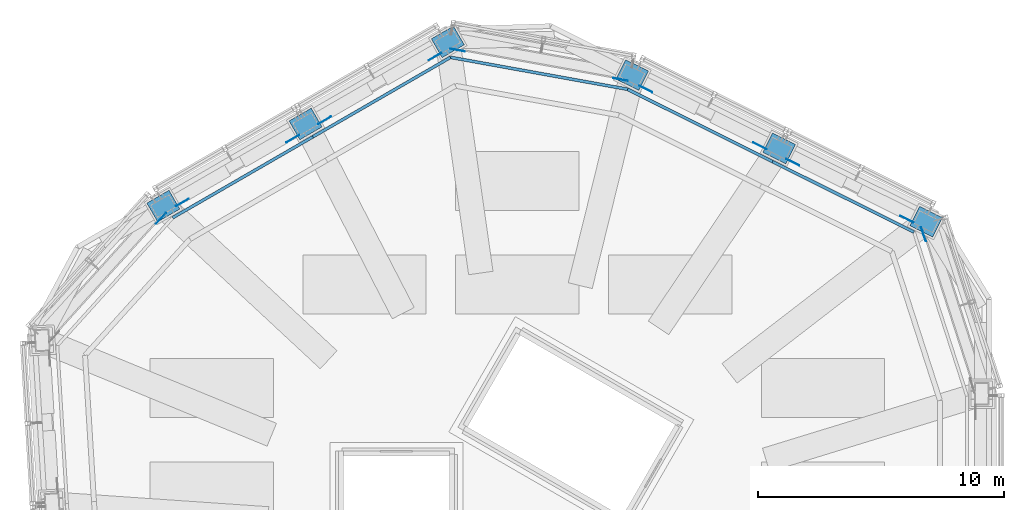
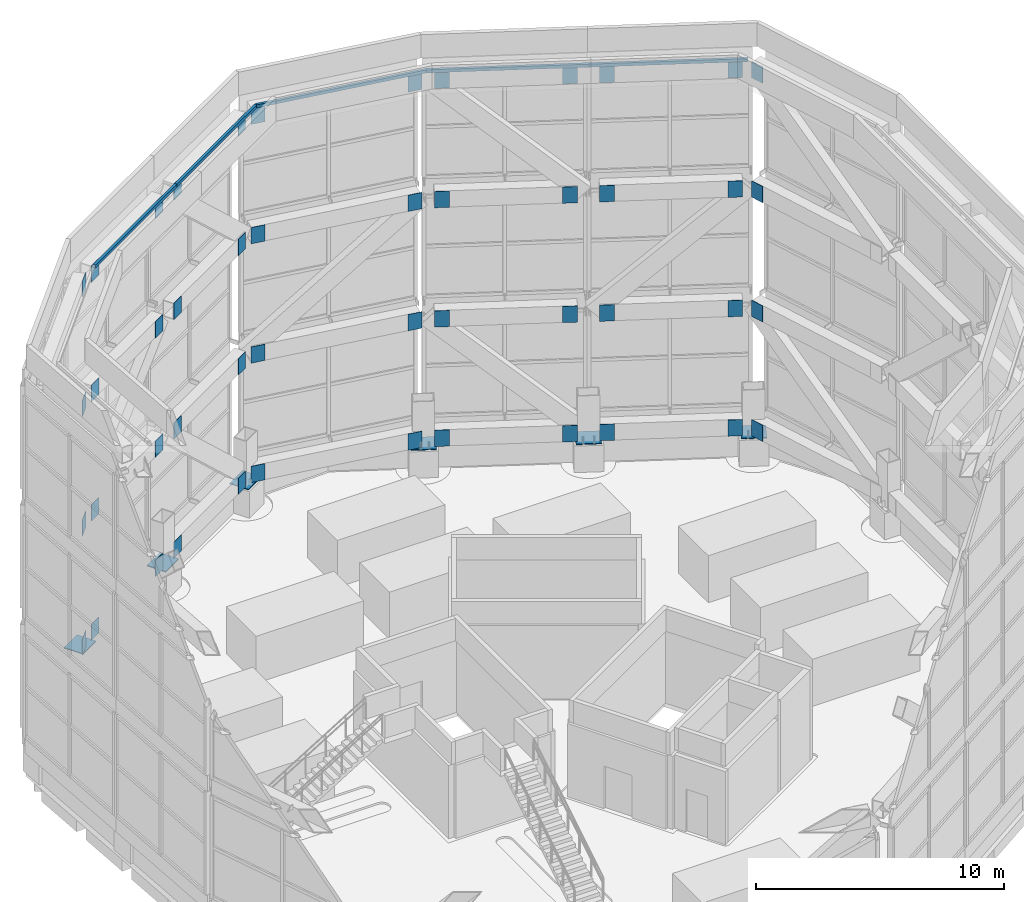
# One storey, part 26 of 46: 59 discrete accessories.
"""IFC4 building model written with IfcOpenShell, lengths in metres."""

from ifc_helpers import new_model, si_unit, direction, frame, origin, origin_2d, place, context, subcontext, project, spatial, rectangle, extrude, material, layer, layer_set, type_object, element, save


model = new_model("IFC4")

# Units and contexts
model_context = context("Model", 3, precision=1e-05, world=origin(), true_north=direction((0.0, 1.0)))
body_context = subcontext(model_context, "Body", "Model", "MODEL_VIEW")
ifc_project = project(units=[si_unit("LENGTHUNIT", "METRE"), si_unit("AREAUNIT", "SQUARE_METRE"), si_unit("VOLUMEUNIT", "CUBIC_METRE"), si_unit("PLANEANGLEUNIT", "RADIAN"), si_unit("MASSUNIT", "GRAM", prefix="KILO")], contexts=[model_context])

# Site, building, storey
site_placement = place(None, origin())
site = spatial("IfcSite", under=ifc_project, at=site_placement, CompositionType="ELEMENT")
building_placement = place(site_placement, origin())
building = spatial("IfcBuilding", under=site, at=building_placement, Name="Vanh Sen Convention Tower", CompositionType="ELEMENT")
storey_placement = place(building_placement, frame((0.0, 0.0, 305.0)))
storey = spatial("IfcBuildingStorey", under=building, at=storey_placement, Name="Roof level", CompositionType="ELEMENT", Elevation=305.0)

# Discrete accessories
ifc_material_1 = material(Name="Steel S355", Category="steel")
discrete_accessory_type_1 = type_object("IfcDiscreteAccessoryType", Name="BMU track rail 120 x 150", PredefinedType="USERDEFINED", material=ifc_material_1)
discrete_accessory_1_placement = place(storey_placement, frame((13.1806640625, 13.764892578125, 20.0), z_axis=(0.0, 0.0, 1.0), x_axis=(-0.894932025303, 0.446202498969, 0.0)))
element("IfcDiscreteAccessory", 1, at=discrete_accessory_1_placement, inside=storey, type_object=discrete_accessory_type_1, Name="BMU track rail 02", ObjectType="BMU TRACK", PredefinedType="USERDEFINED", context=body_context, shape_type="SweptSolid", body=[
    extrude(rectangle(XDim=6.4111328125, YDim=0.1201171875, at=origin_2d()), origin(), (0.0, 0.0, 1.0), 0.14990234375),
])
discrete_accessory_2_placement = place(storey_placement, frame((7.36865234375, 16.662841796875, 20.0), z_axis=(0.0, 0.0, 1.0), x_axis=(-0.894931246532, 0.446204060919, 0.0)))
element("IfcDiscreteAccessory", 2, at=discrete_accessory_2_placement, inside=storey, type_object=discrete_accessory_type_1, Name="BMU track rail 03", ObjectType="BMU TRACK", PredefinedType="USERDEFINED", context=body_context, shape_type="SweptSolid", body=[
    extrude(rectangle(XDim=6.577392578125, YDim=0.1201171875, at=origin_2d()), origin(), (0.0, 0.0, 1.0), 0.14990234375),
])
discrete_accessory_3_placement = place(storey_placement, frame((0.83544921875, 18.777587890625, 20.0), z_axis=(0.0, 0.0, 1.0), x_axis=(-0.984123513007, 0.177484960341, 0.0)))
element("IfcDiscreteAccessory", 3, at=discrete_accessory_3_placement, inside=storey, type_object=discrete_accessory_type_1, Name="BMU track rail 04", ObjectType="BMU TRACK", PredefinedType="USERDEFINED", context=body_context, shape_type="SweptSolid", body=[
    extrude(rectangle(XDim=7.2958984375, YDim=0.1201171875, at=origin_2d()), origin(), (0.0, 0.0, 1.0), 0.14990234375),
])
discrete_accessory_4_placement = place(storey_placement, frame((-5.544677734375, 17.814208984375, 20.0), z_axis=(0.0, 0.0, 1.0), x_axis=(-0.866024531118, -0.500001511499, 0.0)))
element("IfcDiscreteAccessory", 4, at=discrete_accessory_4_placement, inside=storey, type_object=discrete_accessory_type_1, Name="BMU track rail 05", ObjectType="BMU TRACK", PredefinedType="USERDEFINED", context=body_context, shape_type="SweptSolid", body=[
    extrude(rectangle(XDim=6.443603515625, YDim=0.1201171875, at=origin_2d()), origin(), (0.0, 0.0, 1.0), 0.14990234375),
])
discrete_accessory_5_placement = place(storey_placement, frame((-11.17919921875, 14.561279296875, 20.0), z_axis=(0.0, 0.0, 1.0), x_axis=(-0.86602365845, -0.500003022996, 0.0)))
element("IfcDiscreteAccessory", 5, at=discrete_accessory_5_placement, inside=storey, type_object=discrete_accessory_type_1, Name="BMU track rail 06", ObjectType="BMU TRACK", PredefinedType="USERDEFINED", context=body_context, shape_type="SweptSolid", body=[
    extrude(rectangle(XDim=6.56884765625, YDim=0.1201171875, at=origin_2d()), origin(), (0.0, 0.0, 1.0), 0.14990234375),
])
ifc_material_2 = material(Name="Steel S355", Category="steel")
ifc_layer_1 = layer(ifc_material_2, 0.044921875)
ifc_layer_set_1 = layer_set([ifc_layer_1], Name="Steel S355")
discrete_accessory_type_2 = type_object("IfcDiscreteAccessoryType", Name="Crown column base plate 1040 x 880 x 45", PredefinedType="USERDEFINED", material=ifc_layer_set_1)
for number, where, z_axis, x_axis, name in (
    (6, (16.542724609375, 12.75927734375, 1.300048828125), (0.0, 0.0, 1.0), (-0.894934361602, 0.44619781311, 0.0), "BASE PLATE crown column 04"),
    (7, (10.57958984375, 15.732421875, 1.300048828125), (0.0, 0.0, 1.0), (-0.894934361602, 0.44619781311, 0.0), "BASE PLATE crown column 05"),
    (8, (4.6162109375, 18.70556640625, 1.300048828125), (0.0, 0.0, 1.0), (-0.894934361602, 0.44619781311, 0.0), "BASE PLATE crown column 06"),
    (9, (-2.8642578125, 20.0546875, 1.300048828125), (0.0, 0.0, 1.0), (-0.866025403784, -0.5, 0.0), "BASE PLATE crown column 07"),
    (10, (-8.635009765625, 16.722900390625, 1.300048828125), (0.0, 0.0, 1.0), (-0.866025403784, -0.5, 0.0), "BASE PLATE crown column 08"),
    (11, (-14.405517578125, 13.391357421875, 1.300048828125), (0.0, 0.0, 1.0), (-0.866025403784, -0.5, 0.0), "BASE PLATE crown column 09"),
):
    element("IfcDiscreteAccessory", number, at=place(storey_placement, frame(where, z_axis=z_axis, x_axis=x_axis)), inside=storey, type_object=discrete_accessory_type_2, Name=name, ObjectType="BASE PLATE", PredefinedType="USERDEFINED", context=body_context, shape_type="SweptSolid", body=[
        extrude(rectangle(XDim=1.0400390625, YDim=0.8798828125, at=origin_2d()), origin(), (0.0, 0.0, 1.0), 0.044921875),
    ])
ifc_layer_2 = layer(ifc_material_2, 0.02001953125)
ifc_layer_set_2 = layer_set([ifc_layer_2], Name="Steel S355")
discrete_accessory_type_3 = type_object("IfcDiscreteAccessoryType", Name="Crown gusset plate 600 x 800 x 20", PredefinedType="USERDEFINED", material=ifc_layer_set_2)
for number, where, z_axis, x_axis, name in (
    (12, (16.433837890625, 12.25048828125, 1.34521484375), (0.0, 0.0, 1.0), (0.307733605607, -0.95147255766, 0.0), "GUSSET PLATE ring beam 1 span 03 end"),
    (13, (15.760009765625, 12.85888671875, 1.34521484375), (0.0, 0.0, 1.0), (-0.894931246532, 0.446204060919, 0.0), "GUSSET PLATE ring beam 1 span 04 start"),
    (14, (11.13037109375, 15.167236328125, 1.34521484375), (0.0, 0.0, 1.0), (0.894931246532, -0.446204060919, 0.0), "GUSSET PLATE ring beam 1 span 04 end"),
    (15, (9.796630859375, 15.83203125, 1.34521484375), (0.0, 0.0, 1.0), (-0.894936697876, 0.446193127238, 0.0), "GUSSET PLATE ring beam 1 span 05 start"),
    (16, (5.1669921875, 18.140380859375, 1.34521484375), (0.0, 0.0, 1.0), (0.894936697876, -0.446193127238, 0.0), "GUSSET PLATE ring beam 1 span 05 end"),
    (17, (4.136474609375, 18.52783203125, 1.34521484375), (0.0, 0.0, 1.0), (-0.984121654335, 0.177495266048, 0.0), "GUSSET PLATE ring beam 1 span 06 start"),
    (18, (-2.47705078125, 19.720703125, 1.34521484375), (0.0, 0.0, 1.0), (0.984121654335, -0.177495266048, 0.0), "GUSSET PLATE ring beam 1 span 06 end"),
    (19, (-3.37939453125, 19.45703125, 1.34521484375), (0.0, 0.0, 1.0), (-0.866022785779, -0.500004534492, 0.0), "GUSSET PLATE ring beam 1 span 07 start"),
    (20, (-7.859619140625, 16.870361328125, 1.34521484375), (0.0, 0.0, 1.0), (0.866022785779, 0.500004534492, 0.0), "GUSSET PLATE ring beam 1 span 07 end"),
    (21, (-9.150146484375, 16.125244140625, 1.34521484375), (0.0, 0.0, 1.0), (-0.866022785779, -0.500004534492, 0.0), "GUSSET PLATE ring beam 1 span 08 start"),
    (22, (-13.63037109375, 13.53857421875, 1.34521484375), (0.0, 0.0, 1.0), (0.866022785779, 0.500004534492, 0.0), "GUSSET PLATE ring beam 1 span 08 end"),
    (23, (-14.504150390625, 12.894287109375, 1.34521484375), (0.0, 0.0, 1.0), (-0.670142966713, -0.742232041995, 0.0), "GUSSET PLATE ring beam 1 span 09 start"),
    (24, (16.433837890625, 12.25048828125, 7.21337890625), (0.0, 0.0, 1.0), (0.307733605607, -0.95147255766, 0.0), "GUSSET PLATE ring beam 2 span 03 end"),
    (25, (15.760009765625, 12.85888671875, 7.21337890625), (0.0, 0.0, 1.0), (-0.894931246532, 0.446204060919, 0.0), "GUSSET PLATE ring beam 2 span 04 start"),
    (26, (11.13037109375, 15.167236328125, 7.21337890625), (0.0, 0.0, 1.0), (0.894931246532, -0.446204060919, 0.0), "GUSSET PLATE ring beam 2 span 04 end"),
    (27, (9.796630859375, 15.83203125, 7.21337890625), (0.0, 0.0, 1.0), (-0.894936697876, 0.446193127238, 0.0), "GUSSET PLATE ring beam 2 span 05 start"),
    (28, (5.1669921875, 18.140380859375, 7.21337890625), (0.0, 0.0, 1.0), (0.894936697876, -0.446193127238, 0.0), "GUSSET PLATE ring beam 2 span 05 end"),
    (29, (4.136474609375, 18.52783203125, 7.21337890625), (0.0, 0.0, 1.0), (-0.984121654335, 0.177495266048, 0.0), "GUSSET PLATE ring beam 2 span 06 start"),
    (30, (-2.47705078125, 19.720703125, 7.21337890625), (0.0, 0.0, 1.0), (0.984121654335, -0.177495266048, 0.0), "GUSSET PLATE ring beam 2 span 06 end"),
    (31, (-3.37939453125, 19.45703125, 7.21337890625), (0.0, 0.0, 1.0), (-0.866022785779, -0.500004534492, 0.0), "GUSSET PLATE ring beam 2 span 07 start"),
    (32, (-7.859619140625, 16.870361328125, 7.21337890625), (0.0, 0.0, 1.0), (0.866022785779, 0.500004534492, 0.0), "GUSSET PLATE ring beam 2 span 07 end"),
    (33, (-9.150146484375, 16.125244140625, 7.21337890625), (0.0, 0.0, 1.0), (-0.866022785779, -0.500004534492, 0.0), "GUSSET PLATE ring beam 2 span 08 start"),
    (34, (-13.63037109375, 13.53857421875, 7.21337890625), (0.0, 0.0, 1.0), (0.866022785779, 0.500004534492, 0.0), "GUSSET PLATE ring beam 2 span 08 end"),
    (35, (-14.504150390625, 12.894287109375, 7.21337890625), (0.0, 0.0, 1.0), (-0.670142966713, -0.742232041995, 0.0), "GUSSET PLATE ring beam 2 span 09 start"),
    (36, (16.433837890625, 12.25048828125, 13.08154296875), (0.0, 0.0, 1.0), (0.307733605607, -0.95147255766, 0.0), "GUSSET PLATE ring beam 3 span 03 end"),
    (37, (15.760009765625, 12.85888671875, 13.08154296875), (0.0, 0.0, 1.0), (-0.894931246532, 0.446204060919, 0.0), "GUSSET PLATE ring beam 3 span 04 start"),
    (38, (11.13037109375, 15.167236328125, 13.08154296875), (0.0, 0.0, 1.0), (0.894931246532, -0.446204060919, 0.0), "GUSSET PLATE ring beam 3 span 04 end"),
    (39, (9.796630859375, 15.83203125, 13.08154296875), (0.0, 0.0, 1.0), (-0.894936697876, 0.446193127238, 0.0), "GUSSET PLATE ring beam 3 span 05 start"),
    (40, (5.1669921875, 18.140380859375, 13.08154296875), (0.0, 0.0, 1.0), (0.894936697876, -0.446193127238, 0.0), "GUSSET PLATE ring beam 3 span 05 end"),
    (41, (4.136474609375, 18.52783203125, 13.08154296875), (0.0, 0.0, 1.0), (-0.984121654335, 0.177495266048, 0.0), "GUSSET PLATE ring beam 3 span 06 start"),
    (42, (-2.47705078125, 19.720703125, 13.08154296875), (0.0, 0.0, 1.0), (0.984121654335, -0.177495266048, 0.0), "GUSSET PLATE ring beam 3 span 06 end"),
    (43, (-3.37939453125, 19.45703125, 13.08154296875), (0.0, 0.0, 1.0), (-0.866022785779, -0.500004534492, 0.0), "GUSSET PLATE ring beam 3 span 07 start"),
    (44, (-7.859619140625, 16.870361328125, 13.08154296875), (0.0, 0.0, 1.0), (0.866022785779, 0.500004534492, 0.0), "GUSSET PLATE ring beam 3 span 07 end"),
    (45, (-9.150146484375, 16.125244140625, 13.08154296875), (0.0, 0.0, 1.0), (-0.866022785779, -0.500004534492, 0.0), "GUSSET PLATE ring beam 3 span 08 start"),
    (46, (-13.63037109375, 13.53857421875, 13.08154296875), (0.0, 0.0, 1.0), (0.866022785779, 0.500004534492, 0.0), "GUSSET PLATE ring beam 3 span 08 end"),
    (47, (-14.504150390625, 12.894287109375, 13.08154296875), (0.0, 0.0, 1.0), (-0.670142966713, -0.742232041995, 0.0), "GUSSET PLATE ring beam 3 span 09 start"),
    (48, (16.433837890625, 12.25048828125, 18.9501953125), (0.0, 0.0, 1.0), (0.307733605607, -0.95147255766, 0.0), "GUSSET PLATE ring beam 4 span 03 end"),
    (49, (15.760009765625, 12.85888671875, 18.9501953125), (0.0, 0.0, 1.0), (-0.894931246532, 0.446204060919, 0.0), "GUSSET PLATE ring beam 4 span 04 start"),
    (50, (11.13037109375, 15.167236328125, 18.9501953125), (0.0, 0.0, 1.0), (0.894931246532, -0.446204060919, 0.0), "GUSSET PLATE ring beam 4 span 04 end"),
    (51, (9.796630859375, 15.83203125, 18.9501953125), (0.0, 0.0, 1.0), (-0.894936697876, 0.446193127238, 0.0), "GUSSET PLATE ring beam 4 span 05 start"),
    (52, (5.1669921875, 18.140380859375, 18.9501953125), (0.0, 0.0, 1.0), (0.894936697876, -0.446193127238, 0.0), "GUSSET PLATE ring beam 4 span 05 end"),
    (53, (4.136474609375, 18.52783203125, 18.9501953125), (0.0, 0.0, 1.0), (-0.984121654335, 0.177495266048, 0.0), "GUSSET PLATE ring beam 4 span 06 start"),
    (54, (-2.47705078125, 19.720703125, 18.9501953125), (0.0, 0.0, 1.0), (0.984121654335, -0.177495266048, 0.0), "GUSSET PLATE ring beam 4 span 06 end"),
    (55, (-3.37939453125, 19.45703125, 18.9501953125), (0.0, 0.0, 1.0), (-0.866022785779, -0.500004534492, 0.0), "GUSSET PLATE ring beam 4 span 07 start"),
    (56, (-7.859619140625, 16.870361328125, 18.9501953125), (0.0, 0.0, 1.0), (0.866022785779, 0.500004534492, 0.0), "GUSSET PLATE ring beam 4 span 07 end"),
    (57, (-9.150146484375, 16.125244140625, 18.9501953125), (0.0, 0.0, 1.0), (-0.866022785779, -0.500004534492, 0.0), "GUSSET PLATE ring beam 4 span 08 start"),
    (58, (-13.63037109375, 13.53857421875, 18.9501953125), (0.0, 0.0, 1.0), (0.866022785779, 0.500004534492, 0.0), "GUSSET PLATE ring beam 4 span 08 end"),
    (59, (-14.504150390625, 12.894287109375, 18.9501953125), (0.0, 0.0, 1.0), (-0.670142966713, -0.742232041995, 0.0), "GUSSET PLATE ring beam 4 span 09 start"),
):
    element("IfcDiscreteAccessory", number, at=place(storey_placement, frame(where, z_axis=z_axis, x_axis=x_axis)), inside=storey, type_object=discrete_accessory_type_3, Name=name, ObjectType="GUSSET PLATE", PredefinedType="USERDEFINED", context=body_context, shape_type="SweptSolid", body=[
        extrude(rectangle(XDim=0.60009765625, YDim=0.02001953125, at=origin_2d()), origin(), (0.0, 0.0, 1.0), 0.800048828125),
    ])

save(model, "model.ifc")
